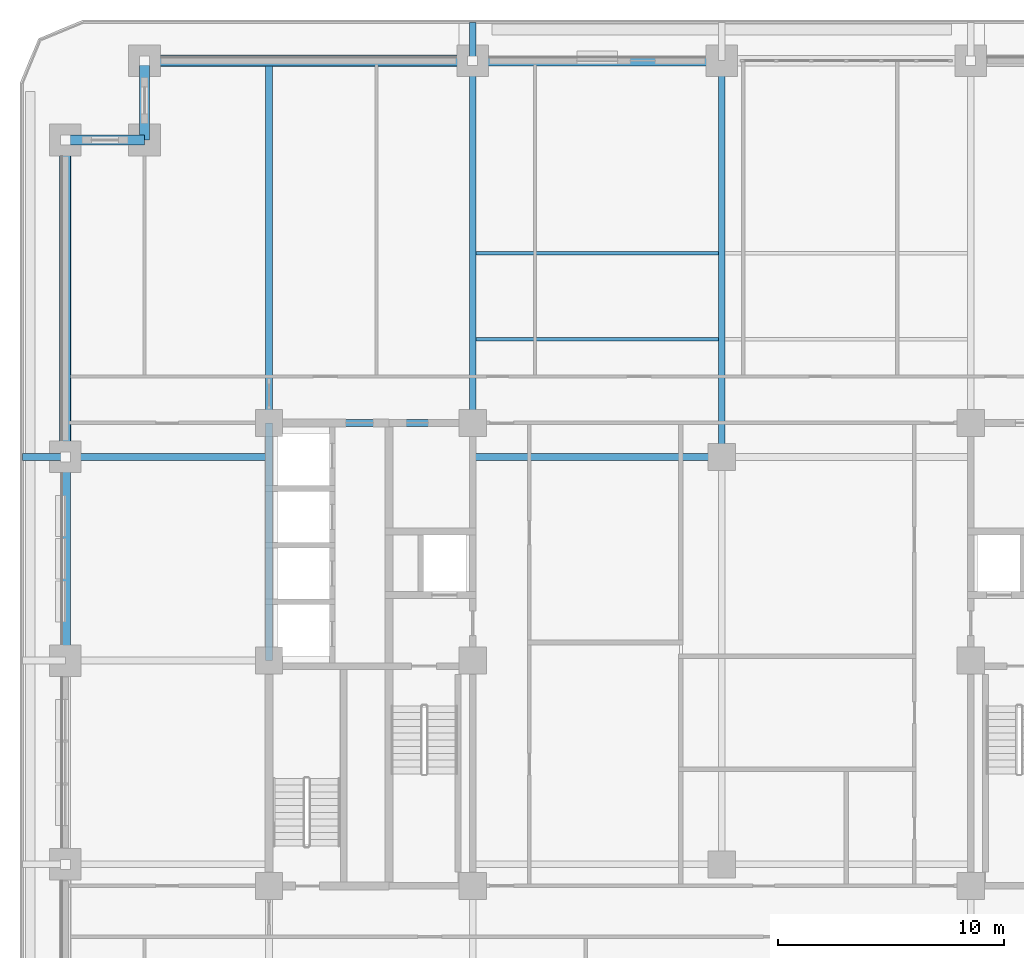
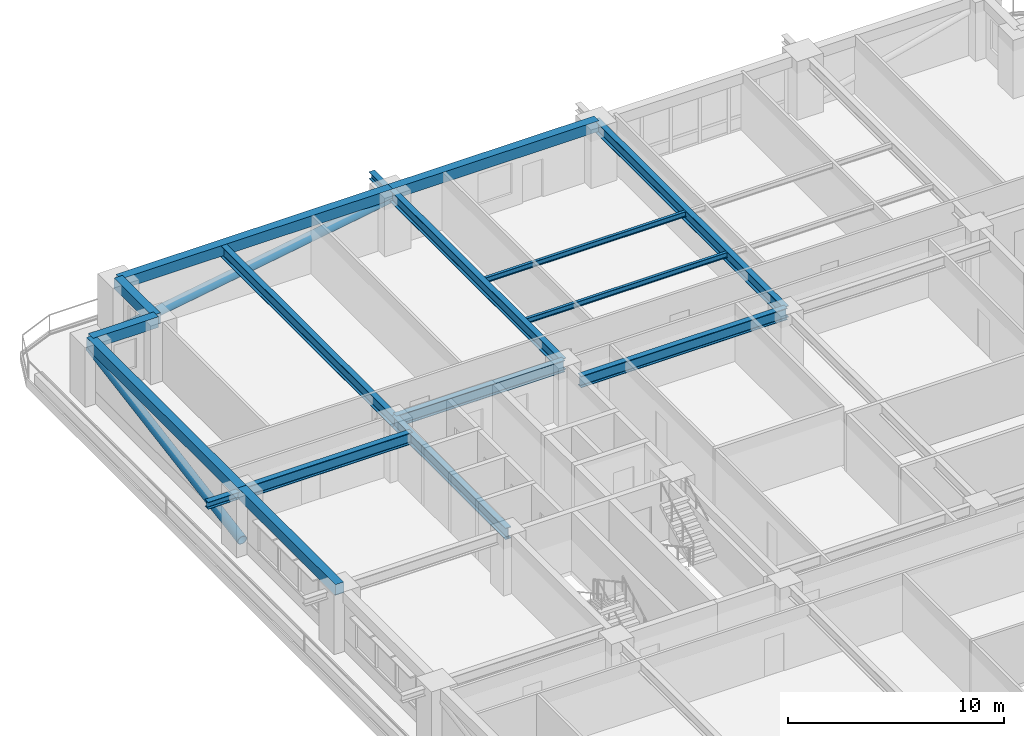
# One storey, part 5 of 20: 17 beams, 2 members.
"""IFC4 building model written with IfcOpenShell, lengths in metres."""

from ifc_helpers import new_model, si_unit, direction, frame, origin, origin_2d, place, context, subcontext, project, spatial, rectangle, hollow_circle, i_section, extrude, material, material_profile, profile_set, type_object, element, save


model = new_model("IFC4")

# Units and contexts
model_context = context("Model", 3, precision=1e-05, world=origin(), true_north=direction((0.0, 1.0)))
body_context = subcontext(model_context, "Body", "Model", "MODEL_VIEW")
ifc_project = project(units=[si_unit("LENGTHUNIT", "METRE"), si_unit("AREAUNIT", "SQUARE_METRE"), si_unit("VOLUMEUNIT", "CUBIC_METRE"), si_unit("PLANEANGLEUNIT", "RADIAN"), si_unit("MASSUNIT", "GRAM", prefix="KILO")], contexts=[model_context])

# Site, building, storey
site_placement = place(None, origin())
site = spatial("IfcSite", under=ifc_project, at=site_placement, CompositionType="ELEMENT")
building_placement = place(site_placement, origin())
building = spatial("IfcBuilding", under=site, at=building_placement, Name="Zulmaris Gate Convention Tower", CompositionType="ELEMENT")
storey_placement = place(building_placement, frame((0.0, 0.0, 75.0400390625)))
storey = spatial("IfcBuildingStorey", under=building, at=storey_placement, Name="L18", CompositionType="ELEMENT", Elevation=75.0400390625)

# Beams
ifc_material_1 = material(Name="Steel S355", Category="steel")
ifc_material_profile_1 = material_profile(ifc_material_1, i_section(OverallWidth=0.300048828125, OverallDepth=0.39990234375, WebThickness=0.013427734375, FlangeThickness=0.02392578125, FilletRadius=0.027099609375, at=origin_2d()), Name="HEB 400")
ifc_profile_set_1 = profile_set([ifc_material_profile_1], Name="Steel S355")
beam_type_1 = type_object("IfcBeamType", Name="BM-HEB400", PredefinedType="BEAM", material=ifc_profile_set_1)
beam_1_placement = place(storey_placement, frame((-11.0, 26.5, 2.97998046875), z_axis=(0.0, 1.0, 0.0), x_axis=(-1.0, 0.0, 0.0)))
element("IfcBeam", 1, at=beam_1_placement, inside=storey, type_object=beam_type_1, Name="L18 Beam TBRK-L18-N--11", PredefinedType="BEAM", context=body_context, shape_type="SweptSolid", body=[
    extrude(i_section(OverallWidth=0.300048828125, OverallDepth=0.39990234375, WebThickness=0.013427734375, FlangeThickness=0.02392578125, FilletRadius=0.027099609375, at=origin_2d()), origin(), (0.0, 0.0, 1.0), 1.699951171875),
])
beam_2_placement = place(storey_placement, frame((-30.89990234375, 9.0, 2.97998046875), z_axis=(1.0, 0.0, 0.0), x_axis=(0.0, 1.0, 0.0)))
element("IfcBeam", 2, at=beam_2_placement, inside=storey, type_object=beam_type_1, Name="L18 Beam TBRK-L18-W-+9", PredefinedType="BEAM", context=body_context, shape_type="SweptSolid", body=[
    extrude(i_section(OverallWidth=0.300048828125, OverallDepth=0.39990234375, WebThickness=0.013427734375, FlangeThickness=0.02392578125, FilletRadius=0.027099609375, at=origin_2d()), origin(), (0.0, 0.0, 1.0), 1.89990234375),
])
ifc_material_profile_2 = material_profile(ifc_material_1, i_section(OverallWidth=0.300048828125, OverallDepth=0.64990234375, WebThickness=0.01611328125, FlangeThickness=0.031005859375, FilletRadius=0.027099609375, at=origin_2d()), Name="HEB 650")
ifc_profile_set_2 = profile_set([ifc_material_profile_2], Name="Steel S355")
beam_type_2 = type_object("IfcBeamType", Name="BM-HEB650", PredefinedType="BEAM", material=ifc_profile_set_2)
beam_3_placement = place(storey_placement, frame((-11.0, 9.0, 2.992919921875), z_axis=(1.0, 0.0, 0.0), x_axis=(0.0, 1.0, 0.0)))
element("IfcBeam", 3, at=beam_3_placement, inside=storey, type_object=beam_type_2, Name="L18 Beam BM-L18-G03", PredefinedType="BEAM", context=body_context, shape_type="SweptSolid", body=[
    extrude(i_section(OverallWidth=0.300048828125, OverallDepth=0.64990234375, WebThickness=0.01611328125, FlangeThickness=0.031005859375, FilletRadius=0.027099609375, at=origin_2d()), origin(), (0.0, 0.0, 1.0), 11.0),
])
beam_4_placement = place(storey_placement, frame((0.0, 9.0, 2.992919921875), z_axis=(0.0, 1.0, 0.0), x_axis=(-1.0, 0.0, 0.0)))
element("IfcBeam", 4, at=beam_4_placement, inside=storey, type_object=beam_type_2, Name="L18 Beam BM-L18-G07", PredefinedType="BEAM", context=body_context, shape_type="SweptSolid", body=[
    extrude(i_section(OverallWidth=0.300048828125, OverallDepth=0.64990234375, WebThickness=0.01611328125, FlangeThickness=0.031005859375, FilletRadius=0.027099609375, at=origin_2d()), origin(), (0.0, 0.0, 1.0), 17.5),
])
for number, where, z_axis, x_axis, name in (
    (5, (-11.0, 10.5, 2.992919921875), (0.0, 1.0, 0.0), (-1.0, 0.0, 0.0), "L18 Beam BM-L18-G09"),
    (6, (-20.0, 10.5, 2.992919921875), (0.0, 1.0, 0.0), (-1.0, 0.0, 0.0), "L18 Beam BM-L18-G13"),
):
    element("IfcBeam", number, at=place(storey_placement, frame(where, z_axis=z_axis, x_axis=x_axis)), inside=storey, type_object=beam_type_2, Name=name, PredefinedType="BEAM", context=body_context, shape_type="SweptSolid", body=[
        extrude(i_section(OverallWidth=0.300048828125, OverallDepth=0.64990234375, WebThickness=0.01611328125, FlangeThickness=0.031005859375, FilletRadius=0.027099609375, at=origin_2d()), origin(), (0.0, 0.0, 1.0), 16.0),
    ])
for number, where, z_axis, x_axis, name in (
    (7, (-29.0, 9.0, 2.992919921875), (1.0, 0.0, 0.0), (0.0, 1.0, 0.0), "L18 Beam BM-L18-G18"),
    (8, (-20.0, 10.5, 2.992919921875), (1.0, 0.0, 0.0), (0.0, 1.0, 0.0), "L18 Beam BM-L18-G23"),
):
    element("IfcBeam", number, at=place(storey_placement, frame(where, z_axis=z_axis, x_axis=x_axis)), inside=storey, type_object=beam_type_2, Name=name, PredefinedType="BEAM", context=body_context, shape_type="SweptSolid", body=[
        extrude(i_section(OverallWidth=0.300048828125, OverallDepth=0.64990234375, WebThickness=0.01611328125, FlangeThickness=0.031005859375, FilletRadius=0.027099609375, at=origin_2d()), origin(), (0.0, 0.0, 1.0), 9.0),
    ])
beam_5_placement = place(storey_placement, frame((-20.0, 0.0, 2.992919921875), z_axis=(0.0, 1.0, 0.0), x_axis=(-1.0, 0.0, 0.0)))
element("IfcBeam", 9, at=beam_5_placement, inside=storey, type_object=beam_type_2, Name="L18 Beam BM-L18-G27", PredefinedType="BEAM", context=body_context, shape_type="SweptSolid", body=[
    extrude(i_section(OverallWidth=0.300048828125, OverallDepth=0.64990234375, WebThickness=0.01611328125, FlangeThickness=0.031005859375, FilletRadius=0.027099609375, at=origin_2d()), origin(), (0.0, 0.0, 1.0), 10.5),
])
ifc_material_2 = material(Name="Precast concrete C50/60", Category="concrete")
ifc_material_profile_3 = material_profile(ifc_material_2, rectangle(XDim=0.449951171875, YDim=0.60009765625, at=origin_2d()), Name="RC SPANDREL 450x600")
ifc_profile_set_3 = profile_set([ifc_material_profile_3], Name="Precast concrete C50/60")
beam_type_3 = type_object("IfcBeamType", Name="BM-SP450x600", PredefinedType="SPANDREL", material=ifc_profile_set_3)
beam_6_placement = place(storey_placement, frame((0.0, 26.5, 3.019775390625), z_axis=(-1.0, 0.0, 0.0), x_axis=(0.0, -1.0, 0.0)))
element("IfcBeam", 10, at=beam_6_placement, inside=storey, type_object=beam_type_3, Name="L18 Spandrel SP-L18-15", PredefinedType="SPANDREL", context=body_context, shape_type="SweptSolid", body=[
    extrude(rectangle(XDim=0.449951171875, YDim=0.60009765625, at=origin_2d()), origin(), (0.0, 0.0, 1.0), 11.0),
])
beam_7_placement = place(storey_placement, frame((-11.0, 26.5, 3.019775390625), z_axis=(-1.0, 0.0, 0.0), x_axis=(0.0, -1.0, 0.0)))
element("IfcBeam", 11, at=beam_7_placement, inside=storey, type_object=beam_type_3, Name="L18 Spandrel SP-L18-16", PredefinedType="SPANDREL", context=body_context, shape_type="SweptSolid", body=[
    extrude(rectangle(XDim=0.449951171875, YDim=0.60009765625, at=origin_2d()), origin(), (0.0, 0.0, 1.0), 14.5),
])
for number, where, z_axis, x_axis, name in (
    (12, (-25.5, 26.5, 3.019775390625), (0.0, -1.0, 0.0), (1.0, 0.0, 0.0), "L18 Spandrel SP-L18-17"),
    (13, (-25.5, 23.0, 3.019775390625), (-1.0, 0.0, 0.0), (0.0, -1.0, 0.0), "L18 Spandrel SP-L18-18"),
):
    element("IfcBeam", number, at=place(storey_placement, frame(where, z_axis=z_axis, x_axis=x_axis)), inside=storey, type_object=beam_type_3, Name=name, PredefinedType="SPANDREL", context=body_context, shape_type="SweptSolid", body=[
        extrude(rectangle(XDim=0.449951171875, YDim=0.60009765625, at=origin_2d()), origin(), (0.0, 0.0, 1.0), 3.5),
    ])
beam_8_placement = place(storey_placement, frame((-29.0, 23.0, 3.019775390625), z_axis=(0.0, -1.0, 0.0), x_axis=(1.0, 0.0, 0.0)))
element("IfcBeam", 14, at=beam_8_placement, inside=storey, type_object=beam_type_3, Name="L18 Spandrel SP-L18-19", PredefinedType="SPANDREL", context=body_context, shape_type="SweptSolid", body=[
    extrude(rectangle(XDim=0.449951171875, YDim=0.60009765625, at=origin_2d()), origin(), (0.0, 0.0, 1.0), 14.0),
])
beam_9_placement = place(storey_placement, frame((-29.0, 9.0, 3.019775390625), z_axis=(0.0, -1.0, 0.0), x_axis=(1.0, 0.0, 0.0)))
element("IfcBeam", 15, at=beam_9_placement, inside=storey, type_object=beam_type_3, Name="L18 Spandrel SP-L18-20", PredefinedType="SPANDREL", context=body_context, shape_type="SweptSolid", body=[
    extrude(rectangle(XDim=0.449951171875, YDim=0.60009765625, at=origin_2d()), origin(), (0.0, 0.0, 1.0), 9.0),
])

# Members
ifc_material_3 = material(Name="Steel S460", Category="steel")
ifc_material_profile_4 = material_profile(ifc_material_3, hollow_circle(Radius=0.25390625, WallThickness=0.02490234375, at=origin_2d()), Name="CHS 508x25")
ifc_profile_set_4 = profile_set([ifc_material_profile_4], Name="Steel S460")
member_type = type_object("IfcMemberType", Name="BR-CHS508", PredefinedType="BRACE", material=ifc_profile_set_4)
member_1_placement = place(storey_placement, frame((-29.0, 9.0, 0.300048828125), z_axis=(0.0, 0.985623399742, 0.168957136221), x_axis=(-1.0, 0.0, 0.0)))
element("IfcMember", 16, at=member_1_placement, inside=storey, type_object=member_type, Name="L18 Perimeter Tube Diagonal NW-W", PredefinedType="BRACE", context=body_context, shape_type="SweptSolid", body=[
    extrude(hollow_circle(Radius=0.25390625, WallThickness=0.02490234375, at=origin_2d()), origin(), (0.0, 0.0, 1.0), 14.2041015625),
])
member_2_placement = place(storey_placement, frame((-25.5, 26.5, 0.300048828125), z_axis=(0.986578268552, 0.0, 0.163289068896), x_axis=(0.0, 1.0, 0.0)))
element("IfcMember", 17, at=member_2_placement, inside=storey, type_object=member_type, Name="L18 Perimeter Tube Diagonal NW-N", PredefinedType="BRACE", context=body_context, shape_type="SweptSolid", body=[
    extrude(hollow_circle(Radius=0.25390625, WallThickness=0.02490234375, at=origin_2d()), origin(), (0.0, 0.0, 1.0), 14.697265625),
])

# Beams
ifc_material_profile_5 = material_profile(ifc_material_1, i_section(OverallWidth=0.14990234375, OverallDepth=0.300048828125, WebThickness=0.007080078125, FlangeThickness=0.0107421875, FilletRadius=0.014892578125, at=origin_2d()), Name="IPE 300")
ifc_profile_set_5 = profile_set([ifc_material_profile_5], Name="Steel S355")
beam_type_4 = type_object("IfcBeamType", Name="JT-IPE300", PredefinedType="JOIST", material=ifc_profile_set_5)
for number, where, z_axis, x_axis, name in (
    (18, (-10.85009765625, 14.199951171875, 3.16796875), (1.0, 0.0, 0.0), (0.0, 1.0, 0.0), "L18 Joist JT-L18-CW-+14.2"),
    (19, (-10.85009765625, 18.0, 3.16796875), (1.0, 0.0, 0.0), (0.0, 1.0, 0.0), "L18 Joist JT-L18-CW-+18.0"),
):
    element("IfcBeam", number, at=place(storey_placement, frame(where, z_axis=z_axis, x_axis=x_axis)), inside=storey, type_object=beam_type_4, Name=name, PredefinedType="JOIST", context=body_context, shape_type="SweptSolid", body=[
        extrude(i_section(OverallWidth=0.14990234375, OverallDepth=0.300048828125, WebThickness=0.007080078125, FlangeThickness=0.0107421875, FilletRadius=0.014892578125, at=origin_2d()), origin(), (0.0, 0.0, 1.0), 10.7001953125),
    ])

save(model, "model.ifc")
